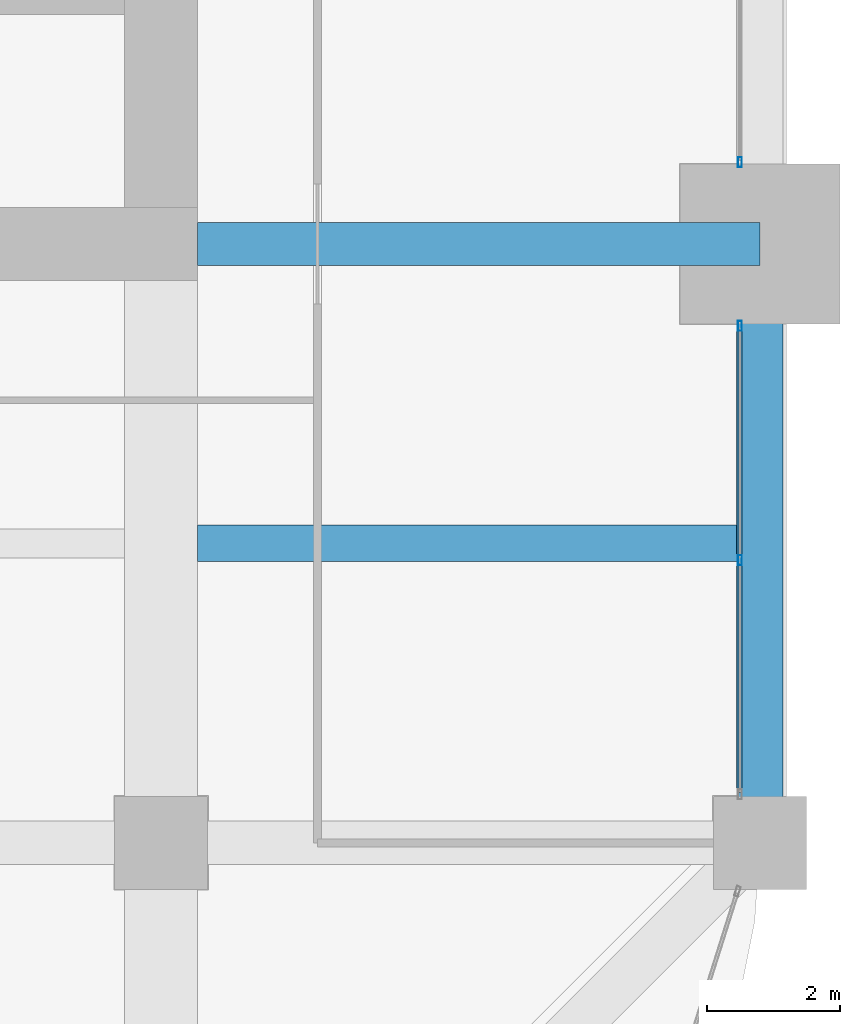
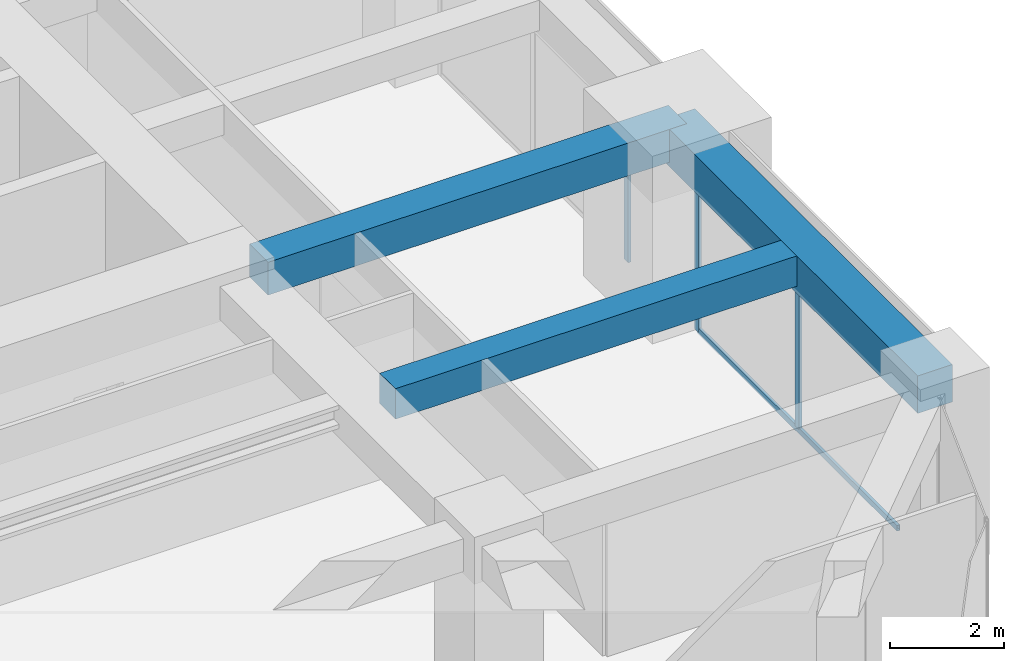
# One storey, part 17 of 33: 4 members, 3 beams, 2 elements without a shape of their own.
"""IFC4 building model written with IfcOpenShell, lengths in metres."""

from ifc_helpers import new_model, si_unit, direction, frame, origin, origin_2d, place, context, subcontext, project, spatial, rectangle, hollow_rectangle, extrude, material, material_profile, profile_set, type_object, element, aggregate, save


model = new_model("IFC4")

# Units and contexts
model_context = context("Model", 3, precision=1e-05, world=origin(), true_north=direction((0.0, 1.0)))
body_context = subcontext(model_context, "Body", "Model", "MODEL_VIEW")
ifc_project = project(units=[si_unit("LENGTHUNIT", "METRE"), si_unit("AREAUNIT", "SQUARE_METRE"), si_unit("VOLUMEUNIT", "CUBIC_METRE"), si_unit("PLANEANGLEUNIT", "RADIAN"), si_unit("MASSUNIT", "GRAM", prefix="KILO")], contexts=[model_context])

# Site, building, storey
site_placement = place(None, origin())
site = spatial("IfcSite", under=ifc_project, at=site_placement, CompositionType="ELEMENT")
building_placement = place(site_placement, origin())
building = spatial("IfcBuilding", under=site, at=building_placement, Name="Zorevar Civic Tower", CompositionType="ELEMENT")
storey_placement = place(building_placement, frame((0.0, 0.0, 210.199951171875)))
storey = spatial("IfcBuildingStorey", under=building, at=storey_placement, Name="L51", CompositionType="ELEMENT", Elevation=210.199951171875)

# Beams
ifc_material_1 = material(Name="Concrete C50/60", Category="concrete")
ifc_material_profile_1 = material_profile(ifc_material_1, rectangle(XDim=0.550048828125, YDim=0.64990234375, at=origin_2d()), Name="RC 550x650")
ifc_profile_set_1 = profile_set([ifc_material_profile_1], Name="Concrete C50/60")
beam_type_1 = type_object("IfcBeamType", Name="Beam RC 550x650", PredefinedType="BEAM", material=ifc_profile_set_1)
beam_1_placement = place(storey_placement, frame((45.550048828125, 13.5, 3.425048828125), z_axis=(1.0, 0.0, 0.0), x_axis=(0.0, 1.0, 0.0)))
element("IfcBeam", 1, at=beam_1_placement, inside=storey, type_object=beam_type_1, Name="Secondary beam L52", PredefinedType="BEAM", context=body_context, shape_type="SweptSolid", body=[
    extrude(rectangle(XDim=0.550048828125, YDim=0.64990234375, at=origin_2d()), origin(), (0.0, 0.0, 1.0), 8.099853515625),
])
ifc_material_2 = material(Name="Concrete C50/60", Category="concrete")
ifc_material_profile_2 = material_profile(ifc_material_2, rectangle(XDim=0.64990234375, YDim=0.699951171875, at=origin_2d()), Name="RC 650x700")
ifc_profile_set_2 = profile_set([ifc_material_profile_2], Name="Concrete C50/60")
beam_type_2 = type_object("IfcBeamType", Name="Beam RC 650x700", PredefinedType="BEAM", material=ifc_profile_set_2)
beam_2_placement = place(storey_placement, frame((45.550048828125, 18.0, 3.400146484375), z_axis=(1.0, 0.0, 0.0), x_axis=(0.0, 1.0, 0.0)))
element("IfcBeam", 2, at=beam_2_placement, inside=storey, type_object=beam_type_2, Name="Girder L52", PredefinedType="BEAM", context=body_context, shape_type="SweptSolid", body=[
    extrude(rectangle(XDim=0.64990234375, YDim=0.699951171875, at=origin_2d()), origin(), (0.0, 0.0, 1.0), 8.449951171875),
])

# Curtain wall, members
ifc_material_3 = material(Name="Dark grey solar-control glass in black aluminium frame", Category="aluminium")
curtain_wall_type = type_object("IfcCurtainWallType", Name="Curtain wall CW4 high zone", PredefinedType="NOTDEFINED", material=ifc_material_3)
curtain_wall_1_placement = place(storey_placement, origin())
curtain_wall_1 = element("IfcCurtainWall", 3, at=curtain_wall_1_placement, inside=storey, type_object=curtain_wall_type, Name="CW4 L51", PredefinedType="NOTDEFINED")
ifc_material_4 = material(Name="Aluminium, black anodised", Category="aluminium")
ifc_material_profile_3 = material_profile(ifc_material_4, hollow_rectangle(XDim=0.06005859375, YDim=0.14990234375, WallThickness=0.00390625, at=origin_2d()), Name="AL 150x60x4")
ifc_profile_set_3 = profile_set([ifc_material_profile_3], Name="Aluminium, black anodised")
member_type_1 = type_object("IfcMemberType", Name="CW4 mullion AL 150x60x4", PredefinedType="MULLION", material=ifc_profile_set_3)
member_1_placement = place(storey_placement, frame((53.699951171875, 13.25, 0.06005859375), z_axis=(0.0, 0.0, 1.0), x_axis=(-1.0, 0.0, 0.0)))
member_1 = element("IfcMember", 4, at=member_1_placement, type_object=member_type_1, Name="CW4 mullion 2", PredefinedType="MULLION", context=body_context, shape_type="SweptSolid", body=[
    extrude(hollow_rectangle(XDim=0.06005859375, YDim=0.14990234375, WallThickness=0.00390625, at=origin_2d()), origin(), (0.0, 0.0, 1.0), 2.889892578125),
])
member_2_placement = place(storey_placement, frame((53.699951171875, 16.77001953125, 0.0), z_axis=(0.0, 0.0, 1.0), x_axis=(-1.0, 0.0, 0.0)))
member_2 = element("IfcMember", 5, at=member_2_placement, type_object=member_type_1, Name="CW4 mullion 3", PredefinedType="MULLION", context=body_context, shape_type="SweptSolid", body=[
    extrude(hollow_rectangle(XDim=0.06005859375, YDim=0.14990234375, WallThickness=0.00390625, at=origin_2d()), origin(), (0.0, 0.0, 1.0), 2.949951171875),
])

# Curtain wall, member
curtain_wall_2_placement = place(storey_placement, origin())
curtain_wall_2 = element("IfcCurtainWall", 6, at=curtain_wall_2_placement, inside=storey, type_object=curtain_wall_type, Name="CW4 L51", PredefinedType="NOTDEFINED")
member_3_placement = place(storey_placement, frame((53.699951171875, 19.22998046875, 0.0), z_axis=(0.0, 0.0, 1.0), x_axis=(-1.0, 0.0, 0.0)))
member_3 = element("IfcMember", 7, at=member_3_placement, type_object=member_type_1, Name="CW4 mullion 1", PredefinedType="MULLION", context=body_context, shape_type="SweptSolid", body=[
    extrude(hollow_rectangle(XDim=0.06005859375, YDim=0.14990234375, WallThickness=0.00390625, at=origin_2d()), origin(), (0.0, 0.0, 1.0), 2.949951171875),
])
aggregate(curtain_wall_2, [member_3])

# Member
ifc_material_5 = material(Name="Aluminium, black anodised", Category="aluminium")
ifc_material_profile_4 = material_profile(ifc_material_5, hollow_rectangle(XDim=0.06005859375, YDim=0.1201171875, WallThickness=0.0029296875, at=origin_2d()), Name="AL 120x60x3")
ifc_profile_set_4 = profile_set([ifc_material_profile_4], Name="Aluminium, black anodised")
member_type_2 = type_object("IfcMemberType", Name="CW4 transom AL 120x60x3", PredefinedType="USERDEFINED", material=ifc_profile_set_4)
member_4_placement = place(storey_placement, frame((53.699951171875, 9.760009765625, 0.030029296875), z_axis=(0.0, 1.0, 0.0), x_axis=(-1.0, 0.0, 0.0)))
member_4 = element("IfcMember", 8, at=member_4_placement, type_object=member_type_2, Name="CW4 sill transom", ObjectType="TRANSOM", PredefinedType="USERDEFINED", context=body_context, shape_type="SweptSolid", body=[
    extrude(hollow_rectangle(XDim=0.06005859375, YDim=0.1201171875, WallThickness=0.0029296875, at=origin_2d()), origin(), (0.0, 0.0, 1.0), 6.97998046875),
])

aggregate(curtain_wall_1, [member_1, member_2, member_4])

# Beam
ifc_material_6 = material(Name="Concrete C50/60", Category="concrete")
ifc_material_profile_5 = material_profile(ifc_material_6, rectangle(XDim=0.699951171875, YDim=0.800048828125, at=origin_2d()), Name="RC 700x800")
ifc_profile_set_5 = profile_set([ifc_material_profile_5], Name="Concrete C50/60")
beam_type_3 = type_object("IfcBeamType", Name="Edge beam RC 700x800", PredefinedType="SPANDREL", material=ifc_profile_set_5)
beam_3_placement = place(storey_placement, frame((54.0, 9.0, 3.35009765625), z_axis=(0.0, 1.0, 0.0), x_axis=(-1.0, 0.0, 0.0)))
element("IfcBeam", 9, at=beam_3_placement, inside=storey, type_object=beam_type_3, Name="Edge beam L52", PredefinedType="SPANDREL", context=body_context, shape_type="SweptSolid", body=[
    extrude(rectangle(XDim=0.699951171875, YDim=0.800048828125, at=origin_2d()), origin(), (0.0, 0.0, 1.0), 9.0),
])

save(model, "model.ifc")
